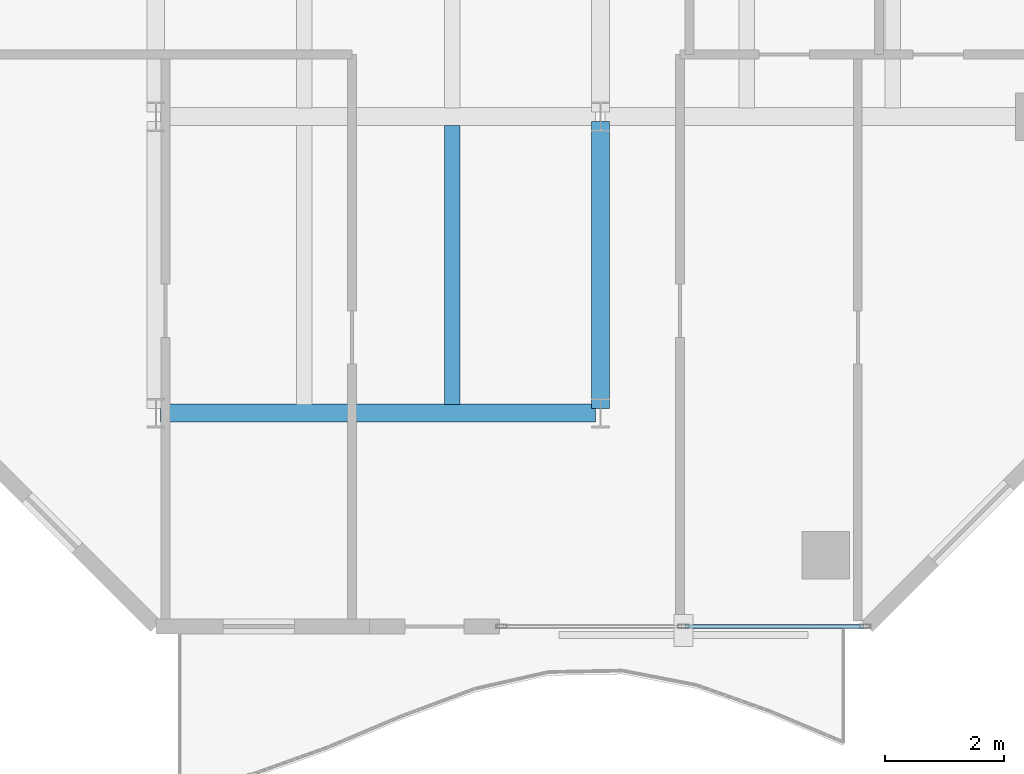
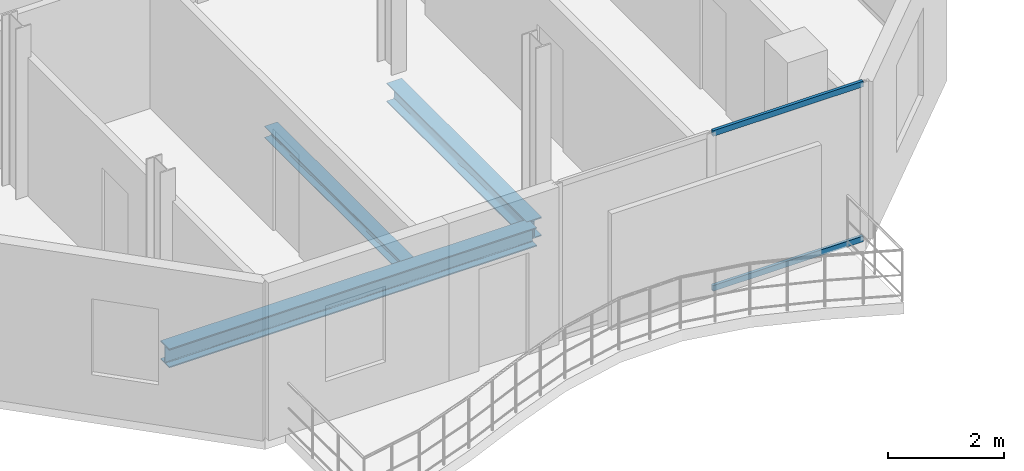
# One storey, part 4 of 23: 3 beams, 2 members, 1 element without a shape of its own.
"""IFC4 building model written with IfcOpenShell, lengths in metres."""

from ifc_helpers import new_model, si_unit, direction, frame, origin, origin_2d, place, context, subcontext, project, spatial, hollow_rectangle, i_section, extrude, material, layer, layer_set, material_profile, profile_set, type_object, element, aggregate, save


model = new_model("IFC4")

# Units and contexts
model_context = context("Model", 3, precision=1e-05, world=origin(), true_north=direction((0.0, 1.0)))
body_context = subcontext(model_context, "Body", "Model", "MODEL_VIEW")
ifc_project = project(units=[si_unit("LENGTHUNIT", "METRE"), si_unit("AREAUNIT", "SQUARE_METRE"), si_unit("VOLUMEUNIT", "CUBIC_METRE"), si_unit("PLANEANGLEUNIT", "RADIAN"), si_unit("MASSUNIT", "GRAM", prefix="KILO")], contexts=[model_context])

# Site, building, storey
site_placement = place(None, origin())
site = spatial("IfcSite", under=ifc_project, at=site_placement, CompositionType="ELEMENT")
building_placement = place(site_placement, origin())
building = spatial("IfcBuilding", under=site, at=building_placement, Name="Catumbela Crestline Tower", CompositionType="ELEMENT")
storey_placement = place(building_placement, frame((0.0, 0.0, 190.2)))
storey = spatial("IfcBuildingStorey", under=building, at=storey_placement, Name="L49", CompositionType="ELEMENT", Elevation=190.2)

# Beams
ifc_material_1 = material(Name="Structural steel S355J2", Category="steel")
ifc_material_profile_1 = material_profile(ifc_material_1, i_section(OverallWidth=0.3, OverallDepth=0.4, WebThickness=0.0135, FlangeThickness=0.024, FilletRadius=0.027, at=origin_2d()), Name="HEB 400")
ifc_profile_set_1 = profile_set([ifc_material_profile_1], Name="Structural steel S355J2")
beam_type_1 = type_object("IfcBeamType", Name="BG-HEB400", PredefinedType="BEAM", material=ifc_profile_set_1)
beam_1_placement = place(storey_placement, frame((8.58, 8.6, -0.46), z_axis=(1.0, 0.0, 0.0), x_axis=(0.0, 1.0, 0.0)))
element("IfcBeam", 1, at=beam_1_placement, inside=storey, type_object=beam_type_1, Name="L49 Beam BM-L49-WEW32", PredefinedType="BEAM", context=body_context, shape_type="SweptSolid", body=[
    extrude(i_section(OverallWidth=0.3, OverallDepth=0.4, WebThickness=0.0135, FlangeThickness=0.024, FilletRadius=0.027, at=origin_2d()), origin(), (0.0, 0.0, 1.0), 7.34),
])
beam_2_placement = place(storey_placement, frame((16.0, 8.68, -0.46), z_axis=(0.0, 1.0, 0.0), x_axis=(-1.0, 0.0, 0.0)))
element("IfcBeam", 2, at=beam_2_placement, inside=storey, type_object=beam_type_1, Name="L49 Beam BM-L49-WNS40", PredefinedType="BEAM", context=body_context, shape_type="SweptSolid", body=[
    extrude(i_section(OverallWidth=0.3, OverallDepth=0.4, WebThickness=0.0135, FlangeThickness=0.024, FilletRadius=0.027, at=origin_2d()), origin(), (0.0, 0.0, 1.0), 4.84),
])
ifc_material_profile_2 = material_profile(ifc_material_1, i_section(OverallWidth=0.26, OverallDepth=0.25, WebThickness=0.0075, FlangeThickness=0.0125, FilletRadius=0.024, at=origin_2d()), Name="HEA 260")
ifc_profile_set_2 = profile_set([ifc_material_profile_2], Name="Structural steel S355J2")
beam_type_2 = type_object("IfcBeamType", Name="BJ-HEA260", PredefinedType="JOIST", material=ifc_profile_set_2)
beam_3_placement = place(storey_placement, frame((13.5, 8.747, -0.385), z_axis=(0.0, 1.0, 0.0), x_axis=(-1.0, 0.0, 0.0)))
element("IfcBeam", 3, at=beam_3_placement, inside=storey, type_object=beam_type_2, Name="L49 Joist JS-L49-WG45", PredefinedType="JOIST", context=body_context, shape_type="SweptSolid", body=[
    extrude(i_section(OverallWidth=0.26, OverallDepth=0.25, WebThickness=0.0075, FlangeThickness=0.0125, FilletRadius=0.024, at=origin_2d()), origin(), (0.0, 0.0, 1.0), 4.706),
])

# Curtain wall, members
ifc_material_2 = material(Name="Aluminium alloy AW-6060-T66", Category="aluminium")
ifc_layer = layer(ifc_material_2, 0.18, Name="Aluminium alloy AW-6060-T66")
ifc_layer_set = layer_set([ifc_layer], Name="Aluminium alloy AW-6060-T66")
curtain_wall_type = type_object("IfcCurtainWallType", Name="CWU-Z3", PredefinedType="USERDEFINED", material=ifc_layer_set)
curtain_wall_placement = place(storey_placement, origin())
curtain_wall = element("IfcCurtainWall", 4, at=curtain_wall_placement, inside=storey, type_object=curtain_wall_type, Name="L49 Unitised Curtain Wall CW-L49-E0S2", ObjectType="UNITISED", PredefinedType="USERDEFINED")
ifc_material_profile_3 = material_profile(ifc_material_2, hollow_rectangle(XDim=0.06, YDim=0.12, WallThickness=0.0035, at=origin_2d()), Name="ALU 120x60x3.5")
ifc_profile_set_3 = profile_set([ifc_material_profile_3], Name="Aluminium alloy AW-6060-T66")
member_type = type_object("IfcMemberType", Name="TRN-120X60", PredefinedType="USERDEFINED", material=ifc_profile_set_3)
member_1_placement = place(storey_placement, frame((17.4325, 5.0, 0.03), z_axis=(1.0, 0.0, 0.0), x_axis=(0.0, 1.0, 0.0)))
member_1 = element("IfcMember", 5, at=member_1_placement, type_object=member_type, Name="CWU-Z3 transom 2.1", ObjectType="TRANSOM", PredefinedType="USERDEFINED", context=body_context, shape_type="SweptSolid", body=[
    extrude(hollow_rectangle(XDim=0.06, YDim=0.12, WallThickness=0.0035, at=origin_2d()), origin(), (0.0, 0.0, 1.0), 3.0025),
])
member_2_placement = place(storey_placement, frame((17.4325, 5.0, 3.3), z_axis=(1.0, 0.0, 0.0), x_axis=(0.0, 1.0, 0.0)))
member_2 = element("IfcMember", 6, at=member_2_placement, type_object=member_type, Name="CWU-Z3 transom 2.2", ObjectType="TRANSOM", PredefinedType="USERDEFINED", context=body_context, shape_type="SweptSolid", body=[
    extrude(hollow_rectangle(XDim=0.06, YDim=0.12, WallThickness=0.0035, at=origin_2d()), origin(), (0.0, 0.0, 1.0), 3.0025),
])
aggregate(curtain_wall, [member_1, member_2])

save(model, "model.ifc")
